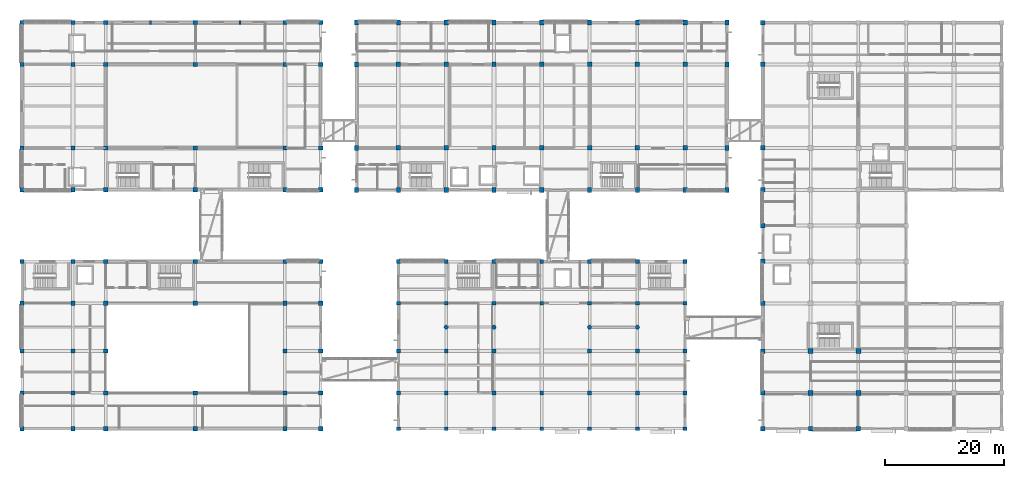
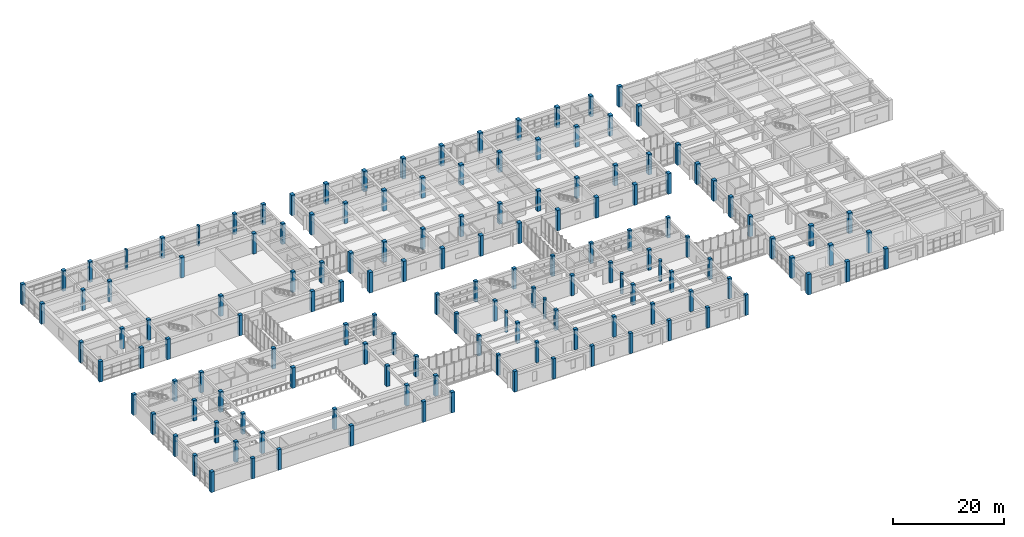
# One storey, part 1 of 70: 145 columns.
"""IFC4 building model written with IfcOpenShell, lengths in metres."""

from ifc_helpers import new_model, si_unit, direction, frame, origin, origin_2d, place, context, subcontext, project, spatial, rectangle, circle, extrude, material, material_profile, profile_set, type_object, element, save


model = new_model("IFC4")

# Units and contexts
model_context = context("Model", 3, precision=1e-05, world=origin(), true_north=direction((0.0, 1.0)))
body_context = subcontext(model_context, "Body", "Model", "MODEL_VIEW")
ifc_project = project(units=[si_unit("LENGTHUNIT", "METRE"), si_unit("AREAUNIT", "SQUARE_METRE"), si_unit("VOLUMEUNIT", "CUBIC_METRE"), si_unit("PLANEANGLEUNIT", "RADIAN"), si_unit("MASSUNIT", "GRAM", prefix="KILO")], contexts=[model_context])

# Site, building, storey
site_placement = place(None, origin())
site = spatial("IfcSite", under=ifc_project, at=site_placement, CompositionType="ELEMENT")
building_placement = place(site_placement, origin())
building = spatial("IfcBuilding", under=site, at=building_placement, Name="Naurynzar Civic Courthouse", CompositionType="ELEMENT")
storey_placement = place(building_placement, frame((0.0, 0.0, 5.39990234375)))
storey = spatial("IfcBuildingStorey", under=building, at=storey_placement, Name="L02", CompositionType="ELEMENT", Elevation=5.39990234375)

# Columns
ifc_material_1 = material(Name="Concrete C40/50", Category="concrete")
ifc_material_profile_1 = material_profile(ifc_material_1, rectangle(XDim=0.64990234375, YDim=0.64990234375, at=origin_2d()), Name="RC 650x650")
ifc_profile_set_1 = profile_set([ifc_material_profile_1], Name="Concrete C40/50")
column_type_1 = type_object("IfcColumnType", Name="COL-RC-650", PredefinedType="COLUMN", material=ifc_profile_set_1)
for number, where, z_axis, x_axis, name in (
    (1, (69.0, 4.0, 0.0), (0.0, 0.0, 1.0), (1.0, 0.0, 0.0), "V3 column (69.0,4.0) L02"),
    (2, (69.0, 10.0, 0.0), (0.0, 0.0, 1.0), (1.0, 0.0, 0.0), "V3 column (69.0,10.0) L02"),
    (3, (69.0, 17.0, 0.0), (0.0, 0.0, 1.0), (1.0, 0.0, 0.0), "V3 column (69.0,17.0) L02"),
    (4, (69.0, 25.0, 0.0), (0.0, 0.0, 1.0), (1.0, 0.0, 0.0), "V3 column (69.0,25.0) L02"),
    (5, (69.0, 32.0, 0.0), (0.0, 0.0, 1.0), (1.0, 0.0, 0.0), "V3 column (69.0,32.0) L02"),
    (6, (77.0, 4.0, 0.0), (0.0, 0.0, 1.0), (1.0, 0.0, 0.0), "V3 column (77.0,4.0) L02"),
    (7, (77.0, 10.0, 0.0), (0.0, 0.0, 1.0), (1.0, 0.0, 0.0), "V3 column (77.0,10.0) L02"),
    (8, (77.0, 17.0, 0.0), (0.0, 0.0, 1.0), (1.0, 0.0, 0.0), "V3 column (77.0,17.0) L02"),
    (9, (77.0, 25.0, 0.0), (0.0, 0.0, 1.0), (1.0, 0.0, 0.0), "V3 column (77.0,25.0) L02"),
    (10, (77.0, 32.0, 0.0), (0.0, 0.0, 1.0), (1.0, 0.0, 0.0), "V3 column (77.0,32.0) L02"),
    (11, (85.0, 4.0, 0.0), (0.0, 0.0, 1.0), (1.0, 0.0, 0.0), "V3 column (85.0,4.0) L02"),
    (12, (85.0, 10.0, 0.0), (0.0, 0.0, 1.0), (1.0, 0.0, 0.0), "V3 column (85.0,10.0) L02"),
    (13, (85.0, 17.0, 0.0), (0.0, 0.0, 1.0), (1.0, 0.0, 0.0), "V3 column (85.0,17.0) L02"),
    (14, (85.0, 25.0, 0.0), (0.0, 0.0, 1.0), (1.0, 0.0, 0.0), "V3 column (85.0,25.0) L02"),
    (15, (85.0, 32.0, 0.0), (0.0, 0.0, 1.0), (1.0, 0.0, 0.0), "V3 column (85.0,32.0) L02"),
    (16, (93.0, 4.0, 0.0), (0.0, 0.0, 1.0), (1.0, 0.0, 0.0), "V3 column (93.0,4.0) L02"),
    (17, (93.0, 10.0, 0.0), (0.0, 0.0, 1.0), (1.0, 0.0, 0.0), "V3 column (93.0,10.0) L02"),
    (18, (93.0, 25.0, 0.0), (0.0, 0.0, 1.0), (1.0, 0.0, 0.0), "V3 column (93.0,25.0) L02"),
    (19, (93.0, 32.0, 0.0), (0.0, 0.0, 1.0), (1.0, 0.0, 0.0), "V3 column (93.0,32.0) L02"),
    (20, (101.0, 4.0, 0.0), (0.0, 0.0, 1.0), (1.0, 0.0, 0.0), "V3 column (101.0,4.0) L02"),
    (21, (101.0, 10.0, 0.0), (0.0, 0.0, 1.0), (1.0, 0.0, 0.0), "V3 column (101.0,10.0) L02"),
    (22, (101.0, 17.0, 0.0), (0.0, 0.0, 1.0), (1.0, 0.0, 0.0), "V3 column (101.0,17.0) L02"),
    (23, (101.0, 25.0, 0.0), (0.0, 0.0, 1.0), (1.0, 0.0, 0.0), "V3 column (101.0,25.0) L02"),
    (24, (101.0, 32.0, 0.0), (0.0, 0.0, 1.0), (1.0, 0.0, 0.0), "V3 column (101.0,32.0) L02"),
    (25, (109.0, 4.0, 0.0), (0.0, 0.0, 1.0), (1.0, 0.0, 0.0), "V3 column (109.0,4.0) L02"),
    (26, (109.0, 10.0, 0.0), (0.0, 0.0, 1.0), (1.0, 0.0, 0.0), "V3 column (109.0,10.0) L02"),
    (27, (109.0, 17.0, 0.0), (0.0, 0.0, 1.0), (1.0, 0.0, 0.0), "V3 column (109.0,17.0) L02"),
    (28, (109.0, 25.0, 0.0), (0.0, 0.0, 1.0), (1.0, 0.0, 0.0), "V3 column (109.0,25.0) L02"),
    (29, (109.0, 32.0, 0.0), (0.0, 0.0, 1.0), (1.0, 0.0, 0.0), "V3 column (109.0,32.0) L02"),
    (30, (117.0, 4.0, 0.0), (0.0, 0.0, 1.0), (1.0, 0.0, 0.0), "V3 column (117.0,4.0) L02"),
    (31, (117.0, 10.0, 0.0), (0.0, 0.0, 1.0), (1.0, 0.0, 0.0), "V3 column (117.0,10.0) L02"),
    (32, (117.0, 17.0, 0.0), (0.0, 0.0, 1.0), (1.0, 0.0, 0.0), "V3 column (117.0,17.0) L02"),
    (33, (117.0, 25.0, 0.0), (0.0, 0.0, 1.0), (1.0, 0.0, 0.0), "V3 column (117.0,25.0) L02"),
    (34, (117.0, 32.0, 0.0), (0.0, 0.0, 1.0), (1.0, 0.0, 0.0), "V3 column (117.0,32.0) L02"),
):
    element("IfcColumn", number, at=place(storey_placement, frame(where, z_axis=z_axis, x_axis=x_axis)), inside=storey, type_object=column_type_1, Name=name, PredefinedType="COLUMN", context=body_context, shape_type="SweptSolid", body=[
        extrude(rectangle(XDim=0.64990234375, YDim=0.64990234375, at=origin_2d()), origin(), (0.0, 0.0, 1.0), 4.5),
    ])
ifc_material_2 = material(Name="Concrete C40/50", Category="concrete")
ifc_material_profile_2 = material_profile(ifc_material_2, rectangle(XDim=0.699951171875, YDim=0.699951171875, at=origin_2d()), Name="RC 700x700")
ifc_profile_set_2 = profile_set([ifc_material_profile_2], Name="Concrete C40/50")
column_type_2 = type_object("IfcColumnType", Name="COL-RC-700", PredefinedType="COLUMN", material=ifc_profile_set_2)
for number, where, z_axis, x_axis, name in (
    (35, (6.0, 44.0, 0.0), (0.0, 0.0, 1.0), (1.0, 0.0, 0.0), "V1 column (6.0,44.0) L02"),
    (36, (6.0, 51.0, 0.0), (0.0, 0.0, 1.0), (1.0, 0.0, 0.0), "V1 column (6.0,51.0) L02"),
    (37, (6.0, 65.0, 0.0), (0.0, 0.0, 1.0), (1.0, 0.0, 0.0), "V1 column (6.0,65.0) L02"),
    (38, (6.0, 72.0, 0.0), (0.0, 0.0, 1.0), (1.0, 0.0, 0.0), "V1 column (6.0,72.0) L02"),
    (39, (14.5, 44.0, 0.0), (0.0, 0.0, 1.0), (1.0, 0.0, 0.0), "V1 column (14.5,44.0) L02"),
    (40, (14.5, 51.0, 0.0), (0.0, 0.0, 1.0), (1.0, 0.0, 0.0), "V1 column (14.5,51.0) L02"),
    (41, (14.5, 65.0, 0.0), (0.0, 0.0, 1.0), (1.0, 0.0, 0.0), "V1 column (14.5,65.0) L02"),
    (42, (14.5, 72.0, 0.0), (0.0, 0.0, 1.0), (1.0, 0.0, 0.0), "V1 column (14.5,72.0) L02"),
    (43, (20.0, 44.0, 0.0), (0.0, 0.0, 1.0), (1.0, 0.0, 0.0), "V1 column (20.0,44.0) L02"),
    (44, (20.0, 51.0, 0.0), (0.0, 0.0, 1.0), (1.0, 0.0, 0.0), "V1 column (20.0,51.0) L02"),
    (45, (20.0, 65.0, 0.0), (0.0, 0.0, 1.0), (1.0, 0.0, 0.0), "V1 column (20.0,65.0) L02"),
    (46, (20.0, 72.0, 0.0), (0.0, 0.0, 1.0), (1.0, 0.0, 0.0), "V1 column (20.0,72.0) L02"),
    (47, (35.0, 44.0, 0.0), (0.0, 0.0, 1.0), (1.0, 0.0, 0.0), "V1 column (35.0,44.0) L02"),
    (48, (35.0, 51.0, 0.0), (0.0, 0.0, 1.0), (1.0, 0.0, 0.0), "V1 column (35.0,51.0) L02"),
    (49, (35.0, 65.0, 0.0), (0.0, 0.0, 1.0), (1.0, 0.0, 0.0), "V1 column (35.0,65.0) L02"),
    (50, (35.0, 72.0, 0.0), (0.0, 0.0, 1.0), (1.0, 0.0, 0.0), "V1 column (35.0,72.0) L02"),
    (51, (50.0, 44.0, 0.0), (0.0, 0.0, 1.0), (1.0, 0.0, 0.0), "V1 column (50.0,44.0) L02"),
    (52, (50.0, 51.0, 0.0), (0.0, 0.0, 1.0), (1.0, 0.0, 0.0), "V1 column (50.0,51.0) L02"),
    (53, (50.0, 65.0, 0.0), (0.0, 0.0, 1.0), (1.0, 0.0, 0.0), "V1 column (50.0,65.0) L02"),
    (54, (50.0, 72.0, 0.0), (0.0, 0.0, 1.0), (1.0, 0.0, 0.0), "V1 column (50.0,72.0) L02"),
    (55, (56.0, 44.0, 0.0), (0.0, 0.0, 1.0), (1.0, 0.0, 0.0), "V1 column (56.0,44.0) L02"),
    (56, (56.0, 51.0, 0.0), (0.0, 0.0, 1.0), (1.0, 0.0, 0.0), "V1 column (56.0,51.0) L02"),
    (57, (56.0, 65.0, 0.0), (0.0, 0.0, 1.0), (1.0, 0.0, 0.0), "V1 column (56.0,65.0) L02"),
    (58, (56.0, 72.0, 0.0), (0.0, 0.0, 1.0), (1.0, 0.0, 0.0), "V1 column (56.0,72.0) L02"),
    (59, (6.0, 4.0, 0.0), (0.0, 0.0, 1.0), (1.0, 0.0, 0.0), "V4 column (6.0,4.0) L02"),
    (60, (6.0, 10.0, 0.0), (0.0, 0.0, 1.0), (1.0, 0.0, 0.0), "V4 column (6.0,10.0) L02"),
    (61, (6.0, 17.0, 0.0), (0.0, 0.0, 1.0), (1.0, 0.0, 0.0), "V4 column (6.0,17.0) L02"),
    (62, (6.0, 25.0, 0.0), (0.0, 0.0, 1.0), (1.0, 0.0, 0.0), "V4 column (6.0,25.0) L02"),
    (63, (6.0, 32.0, 0.0), (0.0, 0.0, 1.0), (1.0, 0.0, 0.0), "V4 column (6.0,32.0) L02"),
    (64, (14.5, 4.0, 0.0), (0.0, 0.0, 1.0), (1.0, 0.0, 0.0), "V4 column (14.5,4.0) L02"),
    (65, (14.5, 10.0, 0.0), (0.0, 0.0, 1.0), (1.0, 0.0, 0.0), "V4 column (14.5,10.0) L02"),
    (66, (14.5, 17.0, 0.0), (0.0, 0.0, 1.0), (1.0, 0.0, 0.0), "V4 column (14.5,17.0) L02"),
    (67, (14.5, 25.0, 0.0), (0.0, 0.0, 1.0), (1.0, 0.0, 0.0), "V4 column (14.5,25.0) L02"),
    (68, (14.5, 32.0, 0.0), (0.0, 0.0, 1.0), (1.0, 0.0, 0.0), "V4 column (14.5,32.0) L02"),
    (69, (20.0, 4.0, 0.0), (0.0, 0.0, 1.0), (1.0, 0.0, 0.0), "V4 column (20.0,4.0) L02"),
    (70, (20.0, 10.0, 0.0), (0.0, 0.0, 1.0), (1.0, 0.0, 0.0), "V4 column (20.0,10.0) L02"),
    (71, (20.0, 17.0, 0.0), (0.0, 0.0, 1.0), (1.0, 0.0, 0.0), "V4 column (20.0,17.0) L02"),
    (72, (20.0, 25.0, 0.0), (0.0, 0.0, 1.0), (1.0, 0.0, 0.0), "V4 column (20.0,25.0) L02"),
    (73, (20.0, 32.0, 0.0), (0.0, 0.0, 1.0), (1.0, 0.0, 0.0), "V4 column (20.0,32.0) L02"),
    (74, (35.0, 4.0, 0.0), (0.0, 0.0, 1.0), (1.0, 0.0, 0.0), "V4 column (35.0,4.0) L02"),
    (75, (35.0, 10.0, 0.0), (0.0, 0.0, 1.0), (1.0, 0.0, 0.0), "V4 column (35.0,10.0) L02"),
    (76, (35.0, 25.0, 0.0), (0.0, 0.0, 1.0), (1.0, 0.0, 0.0), "V4 column (35.0,25.0) L02"),
    (77, (35.0, 32.0, 0.0), (0.0, 0.0, 1.0), (1.0, 0.0, 0.0), "V4 column (35.0,32.0) L02"),
    (78, (50.0, 4.0, 0.0), (0.0, 0.0, 1.0), (1.0, 0.0, 0.0), "V4 column (50.0,4.0) L02"),
    (79, (50.0, 10.0, 0.0), (0.0, 0.0, 1.0), (1.0, 0.0, 0.0), "V4 column (50.0,10.0) L02"),
    (80, (50.0, 17.0, 0.0), (0.0, 0.0, 1.0), (1.0, 0.0, 0.0), "V4 column (50.0,17.0) L02"),
    (81, (50.0, 25.0, 0.0), (0.0, 0.0, 1.0), (1.0, 0.0, 0.0), "V4 column (50.0,25.0) L02"),
    (82, (50.0, 32.0, 0.0), (0.0, 0.0, 1.0), (1.0, 0.0, 0.0), "V4 column (50.0,32.0) L02"),
    (83, (56.0, 4.0, 0.0), (0.0, 0.0, 1.0), (1.0, 0.0, 0.0), "V4 column (56.0,4.0) L02"),
    (84, (56.0, 10.0, 0.0), (0.0, 0.0, 1.0), (1.0, 0.0, 0.0), "V4 column (56.0,10.0) L02"),
    (85, (56.0, 17.0, 0.0), (0.0, 0.0, 1.0), (1.0, 0.0, 0.0), "V4 column (56.0,17.0) L02"),
    (86, (56.0, 25.0, 0.0), (0.0, 0.0, 1.0), (1.0, 0.0, 0.0), "V4 column (56.0,25.0) L02"),
    (87, (56.0, 32.0, 0.0), (0.0, 0.0, 1.0), (1.0, 0.0, 0.0), "V4 column (56.0,32.0) L02"),
):
    element("IfcColumn", number, at=place(storey_placement, frame(where, z_axis=z_axis, x_axis=x_axis)), inside=storey, type_object=column_type_2, Name=name, PredefinedType="COLUMN", context=body_context, shape_type="SweptSolid", body=[
        extrude(rectangle(XDim=0.699951171875, YDim=0.699951171875, at=origin_2d()), origin(), (0.0, 0.0, 1.0), 4.5),
    ])
ifc_material_3 = material(Name="Concrete C40/50", Category="concrete")
ifc_material_profile_3 = material_profile(ifc_material_3, rectangle(XDim=0.699951171875, YDim=0.85009765625, at=origin_2d()), Name="RC 700x850")
ifc_profile_set_3 = profile_set([ifc_material_profile_3], Name="Concrete C40/50")
column_type_3 = type_object("IfcColumnType", Name="COL-RC-700x850", PredefinedType="COLUMN", material=ifc_profile_set_3)
for number, where, z_axis, x_axis, name in (
    (88, (62.0, 44.0, 0.0), (0.0, 0.0, 1.0), (1.0, 0.0, 0.0), "V2 column (62.0,44.0) L02"),
    (89, (62.0, 51.0, 0.0), (0.0, 0.0, 1.0), (1.0, 0.0, 0.0), "V2 column (62.0,51.0) L02"),
    (90, (62.0, 65.0, 0.0), (0.0, 0.0, 1.0), (1.0, 0.0, 0.0), "V2 column (62.0,65.0) L02"),
    (91, (62.0, 72.0, 0.0), (0.0, 0.0, 1.0), (1.0, 0.0, 0.0), "V2 column (62.0,72.0) L02"),
    (92, (69.0, 44.0, 0.0), (0.0, 0.0, 1.0), (1.0, 0.0, 0.0), "V2 column (69.0,44.0) L02"),
    (93, (69.0, 72.0, 0.0), (0.0, 0.0, 1.0), (1.0, 0.0, 0.0), "V2 column (69.0,72.0) L02"),
    (94, (77.0, 44.0, 0.0), (0.0, 0.0, 1.0), (1.0, 0.0, 0.0), "V2 column (77.0,44.0) L02"),
    (95, (77.0, 72.0, 0.0), (0.0, 0.0, 1.0), (1.0, 0.0, 0.0), "V2 column (77.0,72.0) L02"),
    (96, (85.0, 44.0, 0.0), (0.0, 0.0, 1.0), (1.0, 0.0, 0.0), "V2 column (85.0,44.0) L02"),
    (97, (85.0, 72.0, 0.0), (0.0, 0.0, 1.0), (1.0, 0.0, 0.0), "V2 column (85.0,72.0) L02"),
    (98, (93.0, 44.0, 0.0), (0.0, 0.0, 1.0), (1.0, 0.0, 0.0), "V2 column (93.0,44.0) L02"),
    (99, (93.0, 72.0, 0.0), (0.0, 0.0, 1.0), (1.0, 0.0, 0.0), "V2 column (93.0,72.0) L02"),
    (100, (101.0, 44.0, 0.0), (0.0, 0.0, 1.0), (1.0, 0.0, 0.0), "V2 column (101.0,44.0) L02"),
    (101, (101.0, 72.0, 0.0), (0.0, 0.0, 1.0), (1.0, 0.0, 0.0), "V2 column (101.0,72.0) L02"),
    (102, (109.0, 44.0, 0.0), (0.0, 0.0, 1.0), (1.0, 0.0, 0.0), "V2 column (109.0,44.0) L02"),
    (103, (109.0, 72.0, 0.0), (0.0, 0.0, 1.0), (1.0, 0.0, 0.0), "V2 column (109.0,72.0) L02"),
    (104, (117.0, 44.0, 0.0), (0.0, 0.0, 1.0), (1.0, 0.0, 0.0), "V2 column (117.0,44.0) L02"),
    (105, (117.0, 72.0, 0.0), (0.0, 0.0, 1.0), (1.0, 0.0, 0.0), "V2 column (117.0,72.0) L02"),
    (106, (124.0, 44.0, 0.0), (0.0, 0.0, 1.0), (1.0, 0.0, 0.0), "V2 column (124.0,44.0) L02"),
    (107, (124.0, 51.0, 0.0), (0.0, 0.0, 1.0), (1.0, 0.0, 0.0), "V2 column (124.0,51.0) L02"),
    (108, (124.0, 65.0, 0.0), (0.0, 0.0, 1.0), (1.0, 0.0, 0.0), "V2 column (124.0,65.0) L02"),
    (109, (124.0, 72.0, 0.0), (0.0, 0.0, 1.0), (1.0, 0.0, 0.0), "V2 column (124.0,72.0) L02"),
):
    element("IfcColumn", number, at=place(storey_placement, frame(where, z_axis=z_axis, x_axis=x_axis)), inside=storey, type_object=column_type_3, Name=name, PredefinedType="COLUMN", context=body_context, shape_type="SweptSolid", body=[
        extrude(rectangle(XDim=0.699951171875, YDim=0.85009765625, at=origin_2d()), origin(), (0.0, 0.0, 1.0), 4.5),
    ])
ifc_material_4 = material(Name="Concrete C40/50", Category="concrete")
ifc_material_profile_4 = material_profile(ifc_material_4, rectangle(XDim=0.75, YDim=0.75, at=origin_2d()), Name="RC 750x750")
ifc_profile_set_4 = profile_set([ifc_material_profile_4], Name="Concrete C40/50")
column_type_4 = type_object("IfcColumnType", Name="COL-RC-750", PredefinedType="COLUMN", material=ifc_profile_set_4)
for number, where, z_axis, x_axis, name in (
    (110, (69.0, 51.0, 0.0), (0.0, 0.0, 1.0), (1.0, 0.0, 0.0), "V2 column (69.0,51.0) L02"),
    (111, (69.0, 65.0, 0.0), (0.0, 0.0, 1.0), (1.0, 0.0, 0.0), "V2 column (69.0,65.0) L02"),
    (112, (77.0, 51.0, 0.0), (0.0, 0.0, 1.0), (1.0, 0.0, 0.0), "V2 column (77.0,51.0) L02"),
    (113, (77.0, 65.0, 0.0), (0.0, 0.0, 1.0), (1.0, 0.0, 0.0), "V2 column (77.0,65.0) L02"),
    (114, (85.0, 51.0, 0.0), (0.0, 0.0, 1.0), (1.0, 0.0, 0.0), "V2 column (85.0,51.0) L02"),
    (115, (85.0, 65.0, 0.0), (0.0, 0.0, 1.0), (1.0, 0.0, 0.0), "V2 column (85.0,65.0) L02"),
    (116, (93.0, 51.0, 0.0), (0.0, 0.0, 1.0), (1.0, 0.0, 0.0), "V2 column (93.0,51.0) L02"),
    (117, (93.0, 65.0, 0.0), (0.0, 0.0, 1.0), (1.0, 0.0, 0.0), "V2 column (93.0,65.0) L02"),
    (118, (101.0, 51.0, 0.0), (0.0, 0.0, 1.0), (1.0, 0.0, 0.0), "V2 column (101.0,51.0) L02"),
    (119, (101.0, 65.0, 0.0), (0.0, 0.0, 1.0), (1.0, 0.0, 0.0), "V2 column (101.0,65.0) L02"),
    (120, (109.0, 51.0, 0.0), (0.0, 0.0, 1.0), (1.0, 0.0, 0.0), "V2 column (109.0,51.0) L02"),
    (121, (109.0, 65.0, 0.0), (0.0, 0.0, 1.0), (1.0, 0.0, 0.0), "V2 column (109.0,65.0) L02"),
    (122, (117.0, 51.0, 0.0), (0.0, 0.0, 1.0), (1.0, 0.0, 0.0), "V2 column (117.0,51.0) L02"),
    (123, (117.0, 65.0, 0.0), (0.0, 0.0, 1.0), (1.0, 0.0, 0.0), "V2 column (117.0,65.0) L02"),
    (124, (130.0, 4.0, 0.0), (0.0, 0.0, 1.0), (1.0, 0.0, 0.0), "V5 column (130.0,4.0) L02"),
    (125, (130.0, 10.0, 0.0), (0.0, 0.0, 1.0), (1.0, 0.0, 0.0), "V5 column (130.0,10.0) L02"),
    (126, (130.0, 17.0, 0.0), (0.0, 0.0, 1.0), (1.0, 0.0, 0.0), "V5 column (130.0,17.0) L02"),
    (127, (130.0, 25.0, 0.0), (0.0, 0.0, 1.0), (1.0, 0.0, 0.0), "V5 column (130.0,25.0) L02"),
    (128, (130.0, 32.0, 0.0), (0.0, 0.0, 1.0), (1.0, 0.0, 0.0), "V5 column (130.0,32.0) L02"),
    (129, (130.0, 38.0, 0.0), (0.0, 0.0, 1.0), (1.0, 0.0, 0.0), "V5 column (130.0,38.0) L02"),
    (130, (130.0, 44.0, 0.0), (0.0, 0.0, 1.0), (1.0, 0.0, 0.0), "V5 column (130.0,44.0) L02"),
    (131, (130.0, 51.0, 0.0), (0.0, 0.0, 1.0), (1.0, 0.0, 0.0), "V5 column (130.0,51.0) L02"),
    (132, (130.0, 65.0, 0.0), (0.0, 0.0, 1.0), (1.0, 0.0, 0.0), "V5 column (130.0,65.0) L02"),
    (133, (130.0, 72.0, 0.0), (0.0, 0.0, 1.0), (1.0, 0.0, 0.0), "V5 column (130.0,72.0) L02"),
    (134, (138.0, 4.0, 0.0), (0.0, 0.0, 1.0), (1.0, 0.0, 0.0), "V5 column (138.0,4.0) L02"),
    (135, (146.0, 4.0, 0.0), (0.0, 0.0, 1.0), (1.0, 0.0, 0.0), "V5 column (146.0,4.0) L02"),
):
    element("IfcColumn", number, at=place(storey_placement, frame(where, z_axis=z_axis, x_axis=x_axis)), inside=storey, type_object=column_type_4, Name=name, PredefinedType="COLUMN", context=body_context, shape_type="SweptSolid", body=[
        extrude(rectangle(XDim=0.75, YDim=0.75, at=origin_2d()), origin(), (0.0, 0.0, 1.0), 4.5),
    ])
ifc_material_5 = material(Name="Concrete C40/50", Category="concrete")
ifc_material_profile_5 = material_profile(ifc_material_5, rectangle(XDim=0.800048828125, YDim=0.800048828125, at=origin_2d()), Name="RC 800x800")
ifc_profile_set_5 = profile_set([ifc_material_profile_5], Name="Concrete C40/50")
column_type_5 = type_object("IfcColumnType", Name="COL-RC-800", PredefinedType="COLUMN", material=ifc_profile_set_5)
for number, where, z_axis, x_axis, name in (
    (136, (138.0, 10.0, 0.0), (0.0, 0.0, 1.0), (1.0, 0.0, 0.0), "V5 column (138.0,10.0) L02"),
    (137, (138.0, 17.0, 0.0), (0.0, 0.0, 1.0), (1.0, 0.0, 0.0), "V5 column (138.0,17.0) L02"),
    (138, (146.0, 10.0, 0.0), (0.0, 0.0, 1.0), (1.0, 0.0, 0.0), "V5 column (146.0,10.0) L02"),
    (139, (146.0, 17.0, 0.0), (0.0, 0.0, 1.0), (1.0, 0.0, 0.0), "V5 column (146.0,17.0) L02"),
):
    element("IfcColumn", number, at=place(storey_placement, frame(where, z_axis=z_axis, x_axis=x_axis)), inside=storey, type_object=column_type_5, Name=name, PredefinedType="COLUMN", context=body_context, shape_type="SweptSolid", body=[
        extrude(rectangle(XDim=0.800048828125, YDim=0.800048828125, at=origin_2d()), origin(), (0.0, 0.0, 1.0), 4.5),
    ])
ifc_material_6 = material(Name="Concrete C40/50", Category="concrete")
ifc_material_profile_6 = material_profile(ifc_material_6, circle(Radius=0.35009765625, at=origin_2d()), Name="RC D700")
ifc_profile_set_6 = profile_set([ifc_material_profile_6], Name="Concrete C40/50")
column_type_6 = type_object("IfcColumnType", Name="COL-RC-D700", PredefinedType="COLUMN", material=ifc_profile_set_6)
for number, where, z_axis, x_axis, name in (
    (140, (77.0, 21.0, 0.0), (0.0, 0.0, 1.0), (1.0, 0.0, 0.0), "Law Library central spine column 77 L02"),
    (141, (85.0, 21.0, 0.0), (0.0, 0.0, 1.0), (1.0, 0.0, 0.0), "Law Library central spine column 85 L02"),
    (142, (101.0, 21.0, 0.0), (0.0, 0.0, 1.0), (1.0, 0.0, 0.0), "Law Library central spine column 101 L02"),
    (143, (109.0, 21.0, 0.0), (0.0, 0.0, 1.0), (1.0, 0.0, 0.0), "Law Library central spine column 109 L02"),
):
    element("IfcColumn", number, at=place(storey_placement, frame(where, z_axis=z_axis, x_axis=x_axis)), inside=storey, type_object=column_type_6, Name=name, PredefinedType="COLUMN", context=body_context, shape_type="SweptSolid", body=[
        extrude(circle(Radius=0.35009765625, at=origin_2d()), origin(), (0.0, 0.0, 1.0), 4.5),
    ])
ifc_material_7 = material(Name="Concrete C40/50", Category="concrete")
ifc_material_profile_7 = material_profile(ifc_material_7, rectangle(XDim=0.35009765625, YDim=0.60009765625, at=origin_2d()), Name="RC 350x600")
ifc_profile_set_7 = profile_set([ifc_material_profile_7], Name="Concrete C40/50")
column_type_7 = type_object("IfcColumnType", Name="PIL-RC-350x600", PredefinedType="PILASTER", material=ifc_profile_set_7)
for number, where, z_axis, x_axis, name in (
    (144, (27.5, 72.0, 0.0), (0.0, 0.0, 1.0), (1.0, 0.0, 0.0), "V1 north street pilaster 27.5 L02"),
    (145, (42.5, 72.0, 0.0), (0.0, 0.0, 1.0), (1.0, 0.0, 0.0), "V1 north street pilaster 42.5 L02"),
):
    element("IfcColumn", number, at=place(storey_placement, frame(where, z_axis=z_axis, x_axis=x_axis)), inside=storey, type_object=column_type_7, Name=name, PredefinedType="PILASTER", context=body_context, shape_type="SweptSolid", body=[
        extrude(rectangle(XDim=0.35009765625, YDim=0.60009765625, at=origin_2d()), origin(), (0.0, 0.0, 1.0), 4.5),
    ])

save(model, "model.ifc")
